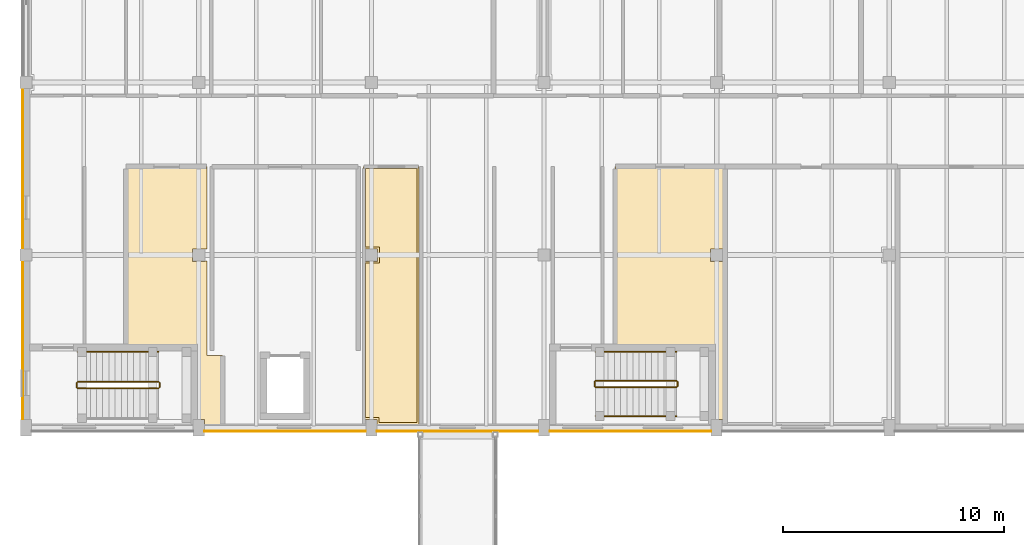
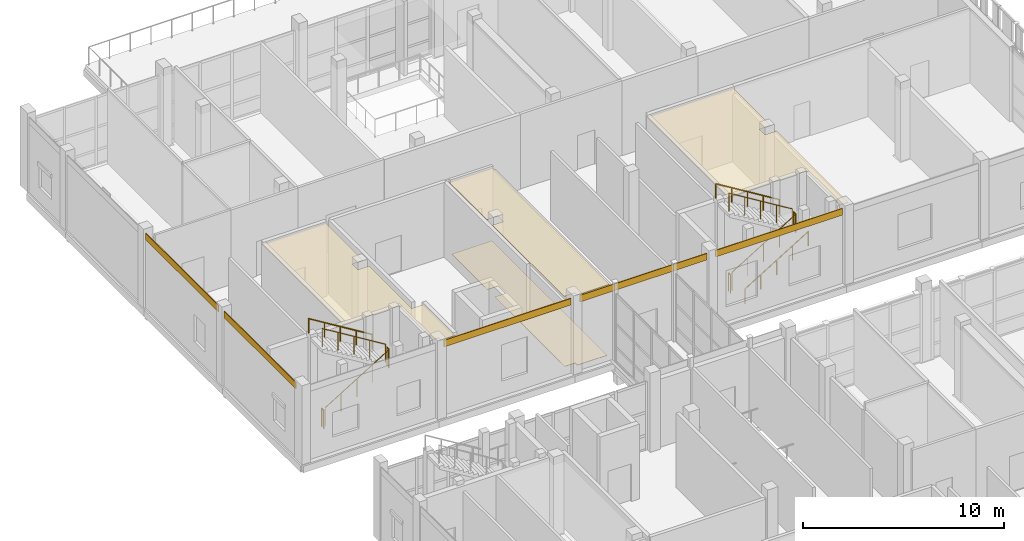
# One storey, part 122 of 138: 11 railings, 9 coverings.
"""IFC4 building model written with IfcOpenShell, lengths in metres."""

from ifc_helpers import new_model, si_unit, direction, frame, origin, origin_2d, place, context, subcontext, project, spatial, polyline, rectangle, circle, outline, extrude, material, layer, layer_set, type_object, element, save


model = new_model("IFC4")

# Units and contexts
model_context = context("Model", 3, precision=1e-05, world=origin(), true_north=direction((0.0, 1.0)))
body_context = subcontext(model_context, "Body", "Model", "MODEL_VIEW")
ifc_project = project(units=[si_unit("LENGTHUNIT", "METRE"), si_unit("AREAUNIT", "SQUARE_METRE"), si_unit("VOLUMEUNIT", "CUBIC_METRE"), si_unit("PLANEANGLEUNIT", "RADIAN"), si_unit("MASSUNIT", "GRAM", prefix="KILO")], contexts=[model_context])

# Site, building, storey
site_placement = place(None, origin())
site = spatial("IfcSite", under=ifc_project, at=site_placement, CompositionType="ELEMENT")
building_placement = place(site_placement, origin())
building = spatial("IfcBuilding", under=site, at=building_placement, Name="Celorna Specialist Clinic", CompositionType="ELEMENT")
storey_placement = place(building_placement, frame((0.0, 0.0, 4.800048828125)))
storey = spatial("IfcBuildingStorey", under=building, at=storey_placement, Name="L01", CompositionType="ELEMENT", Elevation=4.800048828125)

# Coverings
ifc_material_1 = material(Name="Hygienic acoustic mineral-fibre ceiling")
ifc_layer_1 = layer(ifc_material_1, 0.030029296875, Name="Hygienic acoustic mineral-fibre ceiling")
ifc_layer_set_1 = layer_set([ifc_layer_1], Name="Hygienic acoustic mineral-fibre ceiling")
covering_type_1 = type_object("IfcCoveringType", Name="CE-01", PredefinedType="CEILING", material=ifc_layer_set_1)
covering_1_placement = place(storey_placement, frame((0.0, 0.0, 4.329833984375)))
element("IfcCovering", 1, at=covering_1_placement, inside=storey, type_object=covering_type_1, Name="Acoustic ceiling L01-024", PredefinedType="CEILING", context=body_context, shape_type="SweptSolid", body=[
    extrude(outline(polyline([(8.1650390625, 38.364990234375), (8.885009765625, 38.364990234375), (8.885009765625, 35.2548828125), (8.054931640625, 35.2548828125), (8.054931640625, 35.47998046875), (7.72509765625, 35.47998046875), (7.72509765625, 38.864990234375), (4.5048828125, 38.864990234375), (4.5048828125, 46.9150390625), (8.1650390625, 46.9150390625), (8.1650390625, 43.169921875), (8.080078125, 43.169921875), (8.080078125, 43.179931640625), (7.52001953125, 43.179931640625), (7.52001953125, 42.6201171875), (8.080078125, 42.6201171875), (8.080078125, 42.6298828125), (8.1650390625, 42.6298828125), (8.1650390625, 38.364990234375)])), origin(), (0.0, 0.0, 1.0), 0.030029296875),
])
covering_2_placement = place(storey_placement, frame((0.0, 0.0, 4.329833984375)))
element("IfcCovering", 2, at=covering_2_placement, inside=storey, type_object=covering_type_1, Name="Acoustic ceiling L01-025", PredefinedType="CEILING", context=body_context, shape_type="SweptSolid", body=[
    extrude(outline(polyline([(15.2548828125, 42.6298828125), (15.320068359375, 42.6298828125), (15.320068359375, 42.6201171875), (15.8798828125, 42.6201171875), (15.8798828125, 43.179931640625), (15.320068359375, 43.179931640625), (15.320068359375, 43.169921875), (15.2548828125, 43.169921875), (15.2548828125, 46.9150390625), (17.7451171875, 46.9150390625), (17.7451171875, 35.2548828125), (15.85498046875, 35.2548828125), (15.85498046875, 35.47998046875), (15.344970703125, 35.47998046875), (15.344970703125, 35.469970703125), (15.2548828125, 35.469970703125), (15.2548828125, 42.6298828125)])), origin(), (0.0, 0.0, 1.0), 0.030029296875),
])
covering_3_placement = place(storey_placement, frame((0.0, 0.0, 4.329833984375)))
element("IfcCovering", 3, at=covering_3_placement, inside=storey, type_object=covering_type_1, Name="Acoustic ceiling L01-026", PredefinedType="CEILING", context=body_context, shape_type="SweptSolid", body=[
    extrude(outline(polyline([(31.455078125, 35.469970703125), (31.455078125, 35.47998046875), (31.125, 35.47998046875), (31.125, 38.864990234375), (26.60498046875, 38.864990234375), (26.60498046875, 46.9150390625), (31.5849609375, 46.9150390625), (31.5849609375, 43.169921875), (31.47998046875, 43.169921875), (31.47998046875, 43.179931640625), (30.919921875, 43.179931640625), (30.919921875, 42.6201171875), (31.47998046875, 42.6201171875), (31.47998046875, 42.6298828125), (31.5849609375, 42.6298828125), (31.5849609375, 35.469970703125), (31.455078125, 35.469970703125)])), origin(), (0.0, 0.0, 1.0), 0.030029296875),
])
ifc_material_2 = material(Name="Pero Pinheiro Lioz limestone rainscreen cladding", Category="masonry")
ifc_layer_2 = layer(ifc_material_2, 0.044921875, Name="Pero Pinheiro Lioz limestone rainscreen cladding")
ifc_layer_set_2 = layer_set([ifc_layer_2], Name="Pero Pinheiro Lioz limestone rainscreen cladding")
covering_type_2 = type_object("IfcCoveringType", Name="CL-01", PredefinedType="CLADDING", material=ifc_layer_set_2)
for number, where, z_axis, x_axis, name in (
    (4, (11.699951171875, 34.952392578125, 4.139892578125), (0.0, 0.0, 1.0), (-1.0, 0.0, 0.0), "Lioz spandrel cladding #118"),
    (5, (19.5, 34.952392578125, 4.139892578125), (0.0, 0.0, 1.0), (-1.0, 0.0, 0.0), "Lioz spandrel cladding #119"),
    (6, (27.300048828125, 34.952392578125, 4.139892578125), (0.0, 0.0, 1.0), (-1.0, 0.0, 0.0), "Lioz spandrel cladding #120"),
):
    element("IfcCovering", number, at=place(storey_placement, frame(where, z_axis=z_axis, x_axis=x_axis)), inside=storey, type_object=covering_type_2, Name=name, PredefinedType="CLADDING", context=body_context, shape_type="SweptSolid", body=[
        extrude(rectangle(XDim=7.300048828125, YDim=0.044921875, at=origin_2d()), origin(), (0.0, 0.0, 1.0), 0.39990234375),
    ])
covering_4_placement = place(storey_placement, frame((-0.1474609375, 39.050048828125, 4.139892578125), z_axis=(0.0, 0.0, 1.0), x_axis=(0.0, 1.0, 0.0)))
element("IfcCovering", 7, at=covering_4_placement, inside=storey, type_object=covering_type_2, Name="Lioz spandrel cladding #125", PredefinedType="CLADDING", context=body_context, shape_type="SweptSolid", body=[
    extrude(rectangle(XDim=7.14990234375, YDim=0.044921875, at=origin_2d()), origin(), (0.0, 0.0, 1.0), 0.39990234375),
])
covering_5_placement = place(storey_placement, frame((-0.1474609375, 46.800048828125, 4.139892578125), z_axis=(0.0, 0.0, 1.0), x_axis=(0.0, 1.0, 0.0)))
element("IfcCovering", 8, at=covering_5_placement, inside=storey, type_object=covering_type_2, Name="Lioz spandrel cladding #126", PredefinedType="CLADDING", context=body_context, shape_type="SweptSolid", body=[
    extrude(rectangle(XDim=7.25, YDim=0.044921875, at=origin_2d()), origin(), (0.0, 0.0, 1.0), 0.39990234375),
])
ifc_material_3 = material(Name="Seamless antimicrobial clinical vinyl and Lioz terrazzo flooring")
ifc_layer_3 = layer(ifc_material_3, 0.02001953125, Name="Seamless antimicrobial clinical vinyl and Lioz terrazzo flooring")
ifc_layer_set_3 = layer_set([ifc_layer_3], Name="Seamless antimicrobial clinical vinyl and Lioz terrazzo flooring")
covering_type_3 = type_object("IfcCoveringType", Name="FL-01", PredefinedType="FLOORING", material=ifc_layer_set_3)
covering_6_placement = place(storey_placement, origin())
element("IfcCovering", 9, at=covering_6_placement, inside=storey, type_object=covering_type_3, Name="Antimicrobial clinical flooring L01-025", PredefinedType="FLOORING", context=body_context, shape_type="SweptSolid", body=[
    extrude(outline(polyline([(15.344970703125, 35.56005859375), (15.344970703125, 42.5400390625), (15.9599609375, 42.5400390625), (15.9599609375, 43.260009765625), (15.344970703125, 43.260009765625), (15.344970703125, 46.824951171875), (17.655029296875, 46.824951171875), (17.655029296875, 35.344970703125), (15.93505859375, 35.344970703125), (15.93505859375, 35.56005859375), (15.344970703125, 35.56005859375)])), origin(), (0.0, 0.0, 1.0), 0.02001953125),
])

# Railings
ifc_material_4 = material(Name="Powder-coated steel S355", Category="steel")
railing_type_1 = type_object("IfcRailingType", Name="GR-01", PredefinedType="GUARDRAIL", material=ifc_material_4)
railing_1_placement = place(storey_placement, frame((2.340087890625, 36.8798828125, 0.17138671875)))
element("IfcRailing", 10, at=railing_1_placement, inside=storey, type_object=railing_type_1, Name="L01 ST-06 stair guard 1", PredefinedType="GUARDRAIL", context=body_context, shape_type="SweptSolid", body=[
    extrude(circle(Radius=0.02392578125, at=origin_2d()), frame((0.0, 0.0, 1.09619140625), z_axis=(0.852850264322, 0.0, 0.5221555579), x_axis=(0.0, 1.0, 0.0)), (0.0, 0.0, 1.0), 4.267822265625),
    extrude(circle(Radius=0.02099609375, at=origin_2d()), origin(), (0.0, 0.0, 1.0), 1.072021484375),
    extrude(circle(Radius=0.02099609375, at=origin_2d()), frame((0.909912109375, 0.0, 0.55712890625)), (0.0, 0.0, 1.0), 1.072021484375),
    extrude(circle(Radius=0.02099609375, at=origin_2d()), frame((1.81982421875, 0.0, 1.1142578125)), (0.0, 0.0, 1.0), 1.072021484375),
    extrude(circle(Radius=0.02099609375, at=origin_2d()), frame((2.72998046875, 0.0, 1.67138671875)), (0.0, 0.0, 1.0), 1.072021484375),
    extrude(circle(Radius=0.02099609375, at=origin_2d()), frame((3.639892578125, 0.0, 2.228515625)), (0.0, 0.0, 1.0), 1.072021484375),
])
railing_2_placement = place(storey_placement, frame((6.030029296875, 36.929931640625, 2.39990234375)))
element("IfcRailing", 11, at=railing_2_placement, inside=storey, type_object=railing_type_1, Name="L01 ST-06 stair guard 2", PredefinedType="GUARDRAIL", context=body_context, shape_type="SweptSolid", body=[
    extrude(circle(Radius=0.02392578125, at=origin_2d()), frame((0.0, 0.0, 1.09619140625), z_axis=(0.0, 1.0, 0.0), x_axis=(-1.0, 0.0, 0.0)), (0.0, 0.0, 1.0), 0.199951171875),
    extrude(circle(Radius=0.02099609375, at=origin_2d()), origin(), (0.0, 0.0, 1.0), 1.072021484375),
    extrude(circle(Radius=0.02099609375, at=origin_2d()), frame((0.0, 0.199951171875, 0.0)), (0.0, 0.0, 1.0), 1.072021484375),
])
railing_3_placement = place(storey_placement, frame((5.97998046875, 37.179931640625, 2.5712890625)))
element("IfcRailing", 12, at=railing_3_placement, inside=storey, type_object=railing_type_1, Name="L01 ST-06 stair guard 3", PredefinedType="GUARDRAIL", context=body_context, shape_type="SweptSolid", body=[
    extrude(circle(Radius=0.02392578125, at=origin_2d()), frame((0.0, 0.0, 1.09619140625), z_axis=(-0.852824790078, 0.0, 0.522197163366), x_axis=(0.0, -1.0, 0.0)), (0.0, 0.0, 1.0), 4.26806640625),
    extrude(circle(Radius=0.02099609375, at=origin_2d()), origin(), (0.0, 0.0, 1.0), 1.072021484375),
    extrude(circle(Radius=0.02099609375, at=origin_2d()), frame((-0.909912109375, 0.0, 0.55712890625)), (0.0, 0.0, 1.0), 1.072021484375),
    extrude(circle(Radius=0.02099609375, at=origin_2d()), frame((-1.81982421875, 0.0, 1.1142578125)), (0.0, 0.0, 1.0), 1.072021484375),
    extrude(circle(Radius=0.02099609375, at=origin_2d()), frame((-2.72998046875, 0.0, 1.671630859375)), (0.0, 0.0, 1.0), 1.072021484375),
    extrude(circle(Radius=0.02099609375, at=origin_2d()), frame((-3.639892578125, 0.0, 2.228759765625)), (0.0, 0.0, 1.0), 1.072021484375),
])
railing_4_placement = place(storey_placement, frame((2.2900390625, 36.929931640625, 0.0)))
element("IfcRailing", 13, at=railing_4_placement, inside=storey, type_object=railing_type_1, Name="L01 ST-06 stair guard 4", PredefinedType="GUARDRAIL", context=body_context, shape_type="SweptSolid", body=[
    extrude(circle(Radius=0.02392578125, at=origin_2d()), frame((0.0, 0.0, 1.09619140625), z_axis=(0.0, 1.0, 0.0), x_axis=(-1.0, 0.0, 0.0)), (0.0, 0.0, 1.0), 0.199951171875),
    extrude(circle(Radius=0.02099609375, at=origin_2d()), origin(), (0.0, 0.0, 1.0), 1.072021484375),
    extrude(circle(Radius=0.02099609375, at=origin_2d()), frame((0.0, 0.199951171875, 0.0)), (0.0, 0.0, 1.0), 1.072021484375),
])
railing_5_placement = place(storey_placement, frame((25.739990234375, 36.929931640625, 0.17138671875)))
element("IfcRailing", 14, at=railing_5_placement, inside=storey, type_object=railing_type_1, Name="L01 ST-07 stair guard 1", PredefinedType="GUARDRAIL", context=body_context, shape_type="SweptSolid", body=[
    extrude(circle(Radius=0.02392578125, at=origin_2d()), frame((0.0, 0.0, 1.09619140625), z_axis=(0.852850264322, 0.0, 0.5221555579), x_axis=(0.0, 1.0, 0.0)), (0.0, 0.0, 1.0), 4.267822265625),
    extrude(circle(Radius=0.02099609375, at=origin_2d()), origin(), (0.0, 0.0, 1.0), 1.072021484375),
    extrude(circle(Radius=0.02099609375, at=origin_2d()), frame((0.909912109375, 0.0, 0.55712890625)), (0.0, 0.0, 1.0), 1.072021484375),
    extrude(circle(Radius=0.02099609375, at=origin_2d()), frame((1.81982421875, 0.0, 1.1142578125)), (0.0, 0.0, 1.0), 1.072021484375),
    extrude(circle(Radius=0.02099609375, at=origin_2d()), frame((2.72998046875, 0.0, 1.67138671875)), (0.0, 0.0, 1.0), 1.072021484375),
    extrude(circle(Radius=0.02099609375, at=origin_2d()), frame((3.639892578125, 0.0, 2.228515625)), (0.0, 0.0, 1.0), 1.072021484375),
])
railing_6_placement = place(storey_placement, frame((29.429931640625, 36.97998046875, 2.39990234375)))
element("IfcRailing", 15, at=railing_6_placement, inside=storey, type_object=railing_type_1, Name="L01 ST-07 stair guard 2", PredefinedType="GUARDRAIL", context=body_context, shape_type="SweptSolid", body=[
    extrude(circle(Radius=0.02392578125, at=origin_2d()), frame((0.0, 0.0, 1.09619140625), z_axis=(0.0, 1.0, 0.0), x_axis=(-1.0, 0.0, 0.0)), (0.0, 0.0, 1.0), 0.199951171875),
    extrude(circle(Radius=0.02099609375, at=origin_2d()), origin(), (0.0, 0.0, 1.0), 1.072021484375),
    extrude(circle(Radius=0.02099609375, at=origin_2d()), frame((0.0, 0.199951171875, 0.0)), (0.0, 0.0, 1.0), 1.072021484375),
])
railing_7_placement = place(storey_placement, frame((29.3798828125, 37.22998046875, 2.5712890625)))
element("IfcRailing", 16, at=railing_7_placement, inside=storey, type_object=railing_type_1, Name="L01 ST-07 stair guard 3", PredefinedType="GUARDRAIL", context=body_context, shape_type="SweptSolid", body=[
    extrude(circle(Radius=0.02392578125, at=origin_2d()), frame((0.0, 0.0, 1.09619140625), z_axis=(-0.852824790078, 0.0, 0.522197163366), x_axis=(0.0, -1.0, 0.0)), (0.0, 0.0, 1.0), 4.26806640625),
    extrude(circle(Radius=0.02099609375, at=origin_2d()), origin(), (0.0, 0.0, 1.0), 1.072021484375),
    extrude(circle(Radius=0.02099609375, at=origin_2d()), frame((-0.909912109375, 0.0, 0.55712890625)), (0.0, 0.0, 1.0), 1.072021484375),
    extrude(circle(Radius=0.02099609375, at=origin_2d()), frame((-1.81982421875, 0.0, 1.1142578125)), (0.0, 0.0, 1.0), 1.072021484375),
    extrude(circle(Radius=0.02099609375, at=origin_2d()), frame((-2.72998046875, 0.0, 1.671630859375)), (0.0, 0.0, 1.0), 1.072021484375),
    extrude(circle(Radius=0.02099609375, at=origin_2d()), frame((-3.639892578125, 0.0, 2.228759765625)), (0.0, 0.0, 1.0), 1.072021484375),
])
railing_8_placement = place(storey_placement, frame((25.68994140625, 36.97998046875, 0.0)))
element("IfcRailing", 17, at=railing_8_placement, inside=storey, type_object=railing_type_1, Name="L01 ST-07 stair guard 4", PredefinedType="GUARDRAIL", context=body_context, shape_type="SweptSolid", body=[
    extrude(circle(Radius=0.02392578125, at=origin_2d()), frame((0.0, 0.0, 1.09619140625), z_axis=(0.0, 1.0, 0.0), x_axis=(-1.0, 0.0, 0.0)), (0.0, 0.0, 1.0), 0.199951171875),
    extrude(circle(Radius=0.02099609375, at=origin_2d()), origin(), (0.0, 0.0, 1.0), 1.072021484375),
    extrude(circle(Radius=0.02099609375, at=origin_2d()), frame((0.0, 0.199951171875, 0.0)), (0.0, 0.0, 1.0), 1.072021484375),
])
ifc_material_5 = material(Name="Brushed stainless steel handrail", Category="steel")
railing_type_2 = type_object("IfcRailingType", Name="HR-01", PredefinedType="HANDRAIL", material=ifc_material_5)
railing_9_placement = place(storey_placement, frame((5.97998046875, 38.530029296875, 2.5712890625)))
element("IfcRailing", 18, at=railing_9_placement, inside=storey, type_object=railing_type_2, Name="L01 ST-06 stair handrail 2", PredefinedType="HANDRAIL", context=body_context, shape_type="SweptSolid", body=[
    extrude(circle(Radius=0.02392578125, at=origin_2d()), frame((0.0, 0.0, 0.8759765625), z_axis=(-0.852824790078, 0.0, 0.522197163366), x_axis=(0.0, -1.0, 0.0)), (0.0, 0.0, 1.0), 4.26806640625),
    extrude(circle(Radius=0.02099609375, at=origin_2d()), origin(), (0.0, 0.0, 1.0), 0.851806640625),
    extrude(circle(Radius=0.02099609375, at=origin_2d()), frame((-0.909912109375, 0.0, 0.55712890625)), (0.0, 0.0, 1.0), 0.851806640625),
    extrude(circle(Radius=0.02099609375, at=origin_2d()), frame((-1.81982421875, 0.0, 1.1142578125)), (0.0, 0.0, 1.0), 0.851806640625),
    extrude(circle(Radius=0.02099609375, at=origin_2d()), frame((-2.72998046875, 0.0, 1.671630859375)), (0.0, 0.0, 1.0), 0.851806640625),
    extrude(circle(Radius=0.02099609375, at=origin_2d()), frame((-3.639892578125, 0.0, 2.228759765625)), (0.0, 0.0, 1.0), 0.851806640625),
])
railing_10_placement = place(storey_placement, frame((25.739990234375, 35.6298828125, 0.17138671875)))
element("IfcRailing", 19, at=railing_10_placement, inside=storey, type_object=railing_type_2, Name="L01 ST-07 stair handrail 1", PredefinedType="HANDRAIL", context=body_context, shape_type="SweptSolid", body=[
    extrude(circle(Radius=0.02392578125, at=origin_2d()), frame((0.0, 0.0, 0.8759765625), z_axis=(0.852850264322, 0.0, 0.5221555579), x_axis=(0.0, 1.0, 0.0)), (0.0, 0.0, 1.0), 4.267822265625),
    extrude(circle(Radius=0.02099609375, at=origin_2d()), origin(), (0.0, 0.0, 1.0), 0.851806640625),
    extrude(circle(Radius=0.02099609375, at=origin_2d()), frame((0.909912109375, 0.0, 0.55712890625)), (0.0, 0.0, 1.0), 0.851806640625),
    extrude(circle(Radius=0.02099609375, at=origin_2d()), frame((1.81982421875, 0.0, 1.1142578125)), (0.0, 0.0, 1.0), 0.851806640625),
    extrude(circle(Radius=0.02099609375, at=origin_2d()), frame((2.72998046875, 0.0, 1.67138671875)), (0.0, 0.0, 1.0), 0.851806640625),
    extrude(circle(Radius=0.02099609375, at=origin_2d()), frame((3.639892578125, 0.0, 2.228515625)), (0.0, 0.0, 1.0), 0.851806640625),
])
railing_11_placement = place(storey_placement, frame((29.3798828125, 38.530029296875, 2.5712890625)))
element("IfcRailing", 20, at=railing_11_placement, inside=storey, type_object=railing_type_2, Name="L01 ST-07 stair handrail 2", PredefinedType="HANDRAIL", context=body_context, shape_type="SweptSolid", body=[
    extrude(circle(Radius=0.02392578125, at=origin_2d()), frame((0.0, 0.0, 0.8759765625), z_axis=(-0.852824790078, 0.0, 0.522197163366), x_axis=(0.0, -1.0, 0.0)), (0.0, 0.0, 1.0), 4.26806640625),
    extrude(circle(Radius=0.02099609375, at=origin_2d()), origin(), (0.0, 0.0, 1.0), 0.851806640625),
    extrude(circle(Radius=0.02099609375, at=origin_2d()), frame((-0.909912109375, 0.0, 0.55712890625)), (0.0, 0.0, 1.0), 0.851806640625),
    extrude(circle(Radius=0.02099609375, at=origin_2d()), frame((-1.81982421875, 0.0, 1.1142578125)), (0.0, 0.0, 1.0), 0.851806640625),
    extrude(circle(Radius=0.02099609375, at=origin_2d()), frame((-2.72998046875, 0.0, 1.671630859375)), (0.0, 0.0, 1.0), 0.851806640625),
    extrude(circle(Radius=0.02099609375, at=origin_2d()), frame((-3.639892578125, 0.0, 2.228759765625)), (0.0, 0.0, 1.0), 0.851806640625),
])

save(model, "model.ifc")
